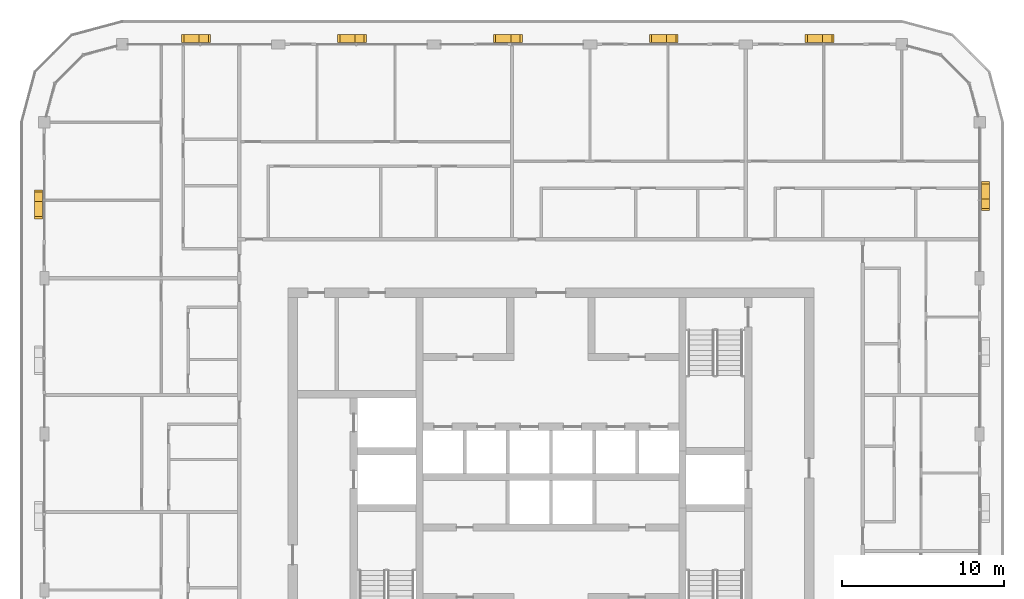
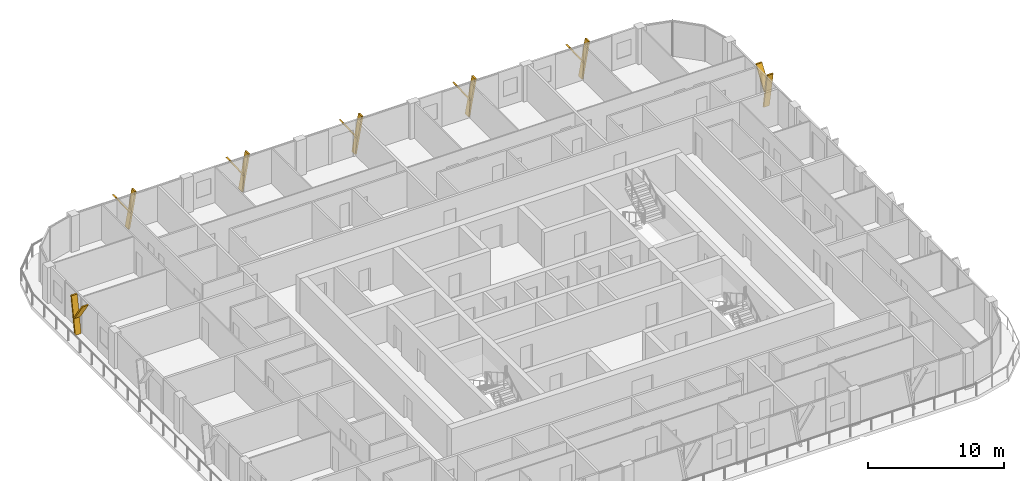
# One storey, part 21 of 21: 14 shading devices.
"""IFC4 building model written with IfcOpenShell, lengths in metres."""

from ifc_helpers import new_model, si_unit, direction, frame, origin, place, context, subcontext, project, spatial, polyline, outline, extrude, material, type_object, element, save


model = new_model("IFC4")

# Units and contexts
model_context = context("Model", 3, precision=1e-05, world=origin(), true_north=direction((0.0, 1.0)))
body_context = subcontext(model_context, "Body", "Model", "MODEL_VIEW")
ifc_project = project(units=[si_unit("LENGTHUNIT", "METRE"), si_unit("AREAUNIT", "SQUARE_METRE"), si_unit("VOLUMEUNIT", "CUBIC_METRE"), si_unit("PLANEANGLEUNIT", "RADIAN"), si_unit("MASSUNIT", "GRAM", prefix="KILO")], contexts=[model_context])

# Site, building, storey
site_placement = place(None, origin())
site = spatial("IfcSite", under=ifc_project, at=site_placement, CompositionType="ELEMENT")
building_placement = place(site_placement, origin())
building = spatial("IfcBuilding", under=site, at=building_placement, Name="Madar Terraces", CompositionType="ELEMENT")
storey_placement = place(building_placement, frame((0.0, 0.0, 252.699951171875)))
storey = spatial("IfcBuildingStorey", under=building, at=storey_placement, Name="L66", CompositionType="ELEMENT", Elevation=252.699951171875)

# Shading devices
ifc_material = material(Name="Aluminium, black anodised", Category="aluminium")
shading_device_type = type_object("IfcShadingDeviceType", Name="Facade fin blade 140 x 500", PredefinedType="USERDEFINED", material=ifc_material)
shading_device_1_placement = place(storey_placement, frame((57.949951171875, 43.1298828125, 0.0), z_axis=(0.0, 0.0, 1.0), x_axis=(0.0, 1.0, 0.0)))
element("IfcShadingDevice", 1, at=shading_device_1_placement, inside=storey, type_object=shading_device_type, Name="FIN L66 E4", ObjectType="FIN", PredefinedType="USERDEFINED", context=body_context, shape_type="SweptSolid", body=[
    extrude(outline(polyline([(0.0, 0.0), (0.14013671875, 0.0), (-0.42431640625, 3.199951171875), (-0.564208984375, 3.199951171875), (0.0, 0.0)])), frame((0.0, 0.25, 0.0), z_axis=(0.0, -1.0, 0.0), x_axis=(1.0, 0.0, 0.0)), (0.0, 0.0, 1.0), 0.5),
])
shading_device_2_placement = place(storey_placement, frame((57.949951171875, 43.01611328125, 1.43994140625), z_axis=(0.0, 0.0, 1.0), x_axis=(0.0, 1.0, 0.0)))
element("IfcShadingDevice", 2, at=shading_device_2_placement, inside=storey, type_object=shading_device_type, Name="FIN L66 E4 branch", ObjectType="FIN", PredefinedType="USERDEFINED", context=body_context, shape_type="SweptSolid", body=[
    extrude(outline(polyline([(0.0, 0.0), (0.139892578125, 0.0), (1.32958984375, 1.760009765625), (1.189697265625, 1.760009765625), (0.0, 0.0)])), frame((0.0, 0.25, 0.0), z_axis=(0.0, -1.0, 0.0), x_axis=(1.0, 0.0, 0.0)), (0.0, 0.0, 1.0), 0.5),
])
shading_device_3_placement = place(storey_placement, frame((48.070068359375, 53.14990234375, 0.0), z_axis=(0.0, 0.0, 1.0), x_axis=(-1.0, 0.0, 0.0)))
element("IfcShadingDevice", 3, at=shading_device_3_placement, inside=storey, type_object=shading_device_type, Name="FIN L66 N1", ObjectType="FIN", PredefinedType="USERDEFINED", context=body_context, shape_type="SweptSolid", body=[
    extrude(outline(polyline([(0.0, 0.0), (0.14013671875, 0.0), (-0.42431640625, 3.199951171875), (-0.564208984375, 3.199951171875), (0.0, 0.0)])), frame((0.0, 0.25, 0.0), z_axis=(0.0, -1.0, 0.0), x_axis=(1.0, 0.0, 0.0)), (0.0, 0.0, 1.0), 0.5),
])
shading_device_4_placement = place(storey_placement, frame((48.183837890625, 53.14990234375, 1.43994140625), z_axis=(0.0, 0.0, 1.0), x_axis=(-1.0, 0.0, 0.0)))
element("IfcShadingDevice", 4, at=shading_device_4_placement, inside=storey, type_object=shading_device_type, Name="FIN L66 N1 branch", ObjectType="FIN", PredefinedType="USERDEFINED", context=body_context, shape_type="SweptSolid", body=[
    extrude(outline(polyline([(0.0, 0.0), (0.139892578125, 0.0), (1.32958984375, 1.760009765625), (1.189697265625, 1.760009765625), (0.0, 0.0)])), frame((0.0, 0.25, 0.0), z_axis=(0.0, -1.0, 0.0), x_axis=(1.0, 0.0, 0.0)), (0.0, 0.0, 1.0), 0.5),
])
shading_device_5_placement = place(storey_placement, frame((38.469970703125, 53.14990234375, 0.0), z_axis=(0.0, 0.0, 1.0), x_axis=(-1.0, 0.0, 0.0)))
element("IfcShadingDevice", 5, at=shading_device_5_placement, inside=storey, type_object=shading_device_type, Name="FIN L66 N2", ObjectType="FIN", PredefinedType="USERDEFINED", context=body_context, shape_type="SweptSolid", body=[
    extrude(outline(polyline([(0.0, 0.0), (0.139892578125, 0.0), (-0.42431640625, 3.199951171875), (-0.564208984375, 3.199951171875), (0.0, 0.0)])), frame((0.0, 0.25, 0.0), z_axis=(0.0, -1.0, 0.0), x_axis=(1.0, 0.0, 0.0)), (0.0, 0.0, 1.0), 0.5),
])
shading_device_6_placement = place(storey_placement, frame((38.583984375, 53.14990234375, 1.43994140625), z_axis=(0.0, 0.0, 1.0), x_axis=(-1.0, 0.0, 0.0)))
element("IfcShadingDevice", 6, at=shading_device_6_placement, inside=storey, type_object=shading_device_type, Name="FIN L66 N2 branch", ObjectType="FIN", PredefinedType="USERDEFINED", context=body_context, shape_type="SweptSolid", body=[
    extrude(outline(polyline([(0.0, 0.0), (0.14013671875, 0.0), (1.32958984375, 1.760009765625), (1.189697265625, 1.760009765625), (0.0, 0.0)])), frame((0.0, 0.25, 0.0), z_axis=(0.0, -1.0, 0.0), x_axis=(1.0, 0.0, 0.0)), (0.0, 0.0, 1.0), 0.5),
])
shading_device_7_placement = place(storey_placement, frame((28.8701171875, 53.14990234375, 0.0), z_axis=(0.0, 0.0, 1.0), x_axis=(-1.0, 0.0, 0.0)))
element("IfcShadingDevice", 7, at=shading_device_7_placement, inside=storey, type_object=shading_device_type, Name="FIN L66 N3", ObjectType="FIN", PredefinedType="USERDEFINED", context=body_context, shape_type="SweptSolid", body=[
    extrude(outline(polyline([(0.0, 0.0), (0.14013671875, 0.0), (-0.42431640625, 3.199951171875), (-0.564208984375, 3.199951171875), (0.0, 0.0)])), frame((0.0, 0.25, 0.0), z_axis=(0.0, -1.0, 0.0), x_axis=(1.0, 0.0, 0.0)), (0.0, 0.0, 1.0), 0.5),
])
shading_device_8_placement = place(storey_placement, frame((28.98388671875, 53.14990234375, 1.43994140625), z_axis=(0.0, 0.0, 1.0), x_axis=(-1.0, 0.0, 0.0)))
element("IfcShadingDevice", 8, at=shading_device_8_placement, inside=storey, type_object=shading_device_type, Name="FIN L66 N3 branch", ObjectType="FIN", PredefinedType="USERDEFINED", context=body_context, shape_type="SweptSolid", body=[
    extrude(outline(polyline([(0.0, 0.0), (0.139892578125, 0.0), (1.32958984375, 1.760009765625), (1.189697265625, 1.760009765625), (0.0, 0.0)])), frame((0.0, 0.25, 0.0), z_axis=(0.0, -1.0, 0.0), x_axis=(1.0, 0.0, 0.0)), (0.0, 0.0, 1.0), 0.5),
])
shading_device_9_placement = place(storey_placement, frame((19.27001953125, 53.14990234375, 0.0), z_axis=(0.0, 0.0, 1.0), x_axis=(-1.0, 0.0, 0.0)))
element("IfcShadingDevice", 9, at=shading_device_9_placement, inside=storey, type_object=shading_device_type, Name="FIN L66 N4", ObjectType="FIN", PredefinedType="USERDEFINED", context=body_context, shape_type="SweptSolid", body=[
    extrude(outline(polyline([(0.0, 0.0), (0.14013671875, 0.0), (-0.42431640625, 3.199951171875), (-0.564208984375, 3.199951171875), (0.0, 0.0)])), frame((0.0, 0.25, 0.0), z_axis=(0.0, -1.0, 0.0), x_axis=(1.0, 0.0, 0.0)), (0.0, 0.0, 1.0), 0.5),
])
shading_device_10_placement = place(storey_placement, frame((19.3837890625, 53.14990234375, 1.43994140625), z_axis=(0.0, 0.0, 1.0), x_axis=(-1.0, 0.0, 0.0)))
element("IfcShadingDevice", 10, at=shading_device_10_placement, inside=storey, type_object=shading_device_type, Name="FIN L66 N4 branch", ObjectType="FIN", PredefinedType="USERDEFINED", context=body_context, shape_type="SweptSolid", body=[
    extrude(outline(polyline([(0.0, 0.0), (0.139892578125, 0.0), (1.32958984375, 1.760009765625), (1.189697265625, 1.760009765625), (0.0, 0.0)])), frame((0.0, 0.25, 0.0), z_axis=(0.0, -1.0, 0.0), x_axis=(1.0, 0.0, 0.0)), (0.0, 0.0, 1.0), 0.5),
])
shading_device_11_placement = place(storey_placement, frame((9.669921875, 53.14990234375, 0.0), z_axis=(0.0, 0.0, 1.0), x_axis=(-1.0, 0.0, 0.0)))
element("IfcShadingDevice", 11, at=shading_device_11_placement, inside=storey, type_object=shading_device_type, Name="FIN L66 N5", ObjectType="FIN", PredefinedType="USERDEFINED", context=body_context, shape_type="SweptSolid", body=[
    extrude(outline(polyline([(0.0, 0.0), (0.139892578125, 0.0), (-0.42431640625, 3.199951171875), (-0.564208984375, 3.199951171875), (0.0, 0.0)])), frame((0.0, 0.25, 0.0), z_axis=(0.0, -1.0, 0.0), x_axis=(1.0, 0.0, 0.0)), (0.0, 0.0, 1.0), 0.5),
])
shading_device_12_placement = place(storey_placement, frame((9.783935546875, 53.14990234375, 1.43994140625), z_axis=(0.0, 0.0, 1.0), x_axis=(-1.0, 0.0, 0.0)))
element("IfcShadingDevice", 12, at=shading_device_12_placement, inside=storey, type_object=shading_device_type, Name="FIN L66 N5 branch", ObjectType="FIN", PredefinedType="USERDEFINED", context=body_context, shape_type="SweptSolid", body=[
    extrude(outline(polyline([(0.0, 0.0), (0.14013671875, 0.0), (1.32958984375, 1.760009765625), (1.189697265625, 1.760009765625), (0.0, 0.0)])), frame((0.0, 0.25, 0.0), z_axis=(0.0, -1.0, 0.0), x_axis=(1.0, 0.0, 0.0)), (0.0, 0.0, 1.0), 0.5),
])
shading_device_13_placement = place(storey_placement, frame((-0.35009765625, 43.27001953125, 0.0), z_axis=(0.0, 0.0, 1.0), x_axis=(0.0, -1.0, 0.0)))
element("IfcShadingDevice", 13, at=shading_device_13_placement, inside=storey, type_object=shading_device_type, Name="FIN L66 W1", ObjectType="FIN", PredefinedType="USERDEFINED", context=body_context, shape_type="SweptSolid", body=[
    extrude(outline(polyline([(0.0, 0.0), (0.14013671875, 0.0), (-0.42431640625, 3.199951171875), (-0.564208984375, 3.199951171875), (0.0, 0.0)])), frame((0.0, 0.25, 0.0), z_axis=(0.0, -1.0, 0.0), x_axis=(1.0, 0.0, 0.0)), (0.0, 0.0, 1.0), 0.5),
])
shading_device_14_placement = place(storey_placement, frame((-0.35009765625, 43.3837890625, 1.43994140625), z_axis=(0.0, 0.0, 1.0), x_axis=(0.0, -1.0, 0.0)))
element("IfcShadingDevice", 14, at=shading_device_14_placement, inside=storey, type_object=shading_device_type, Name="FIN L66 W1 branch", ObjectType="FIN", PredefinedType="USERDEFINED", context=body_context, shape_type="SweptSolid", body=[
    extrude(outline(polyline([(0.0, 0.0), (0.139892578125, 0.0), (1.32958984375, 1.760009765625), (1.189697265625, 1.760009765625), (0.0, 0.0)])), frame((0.0, 0.25, 0.0), z_axis=(0.0, -1.0, 0.0), x_axis=(1.0, 0.0, 0.0)), (0.0, 0.0, 1.0), 0.5),
])

save(model, "model.ifc")
